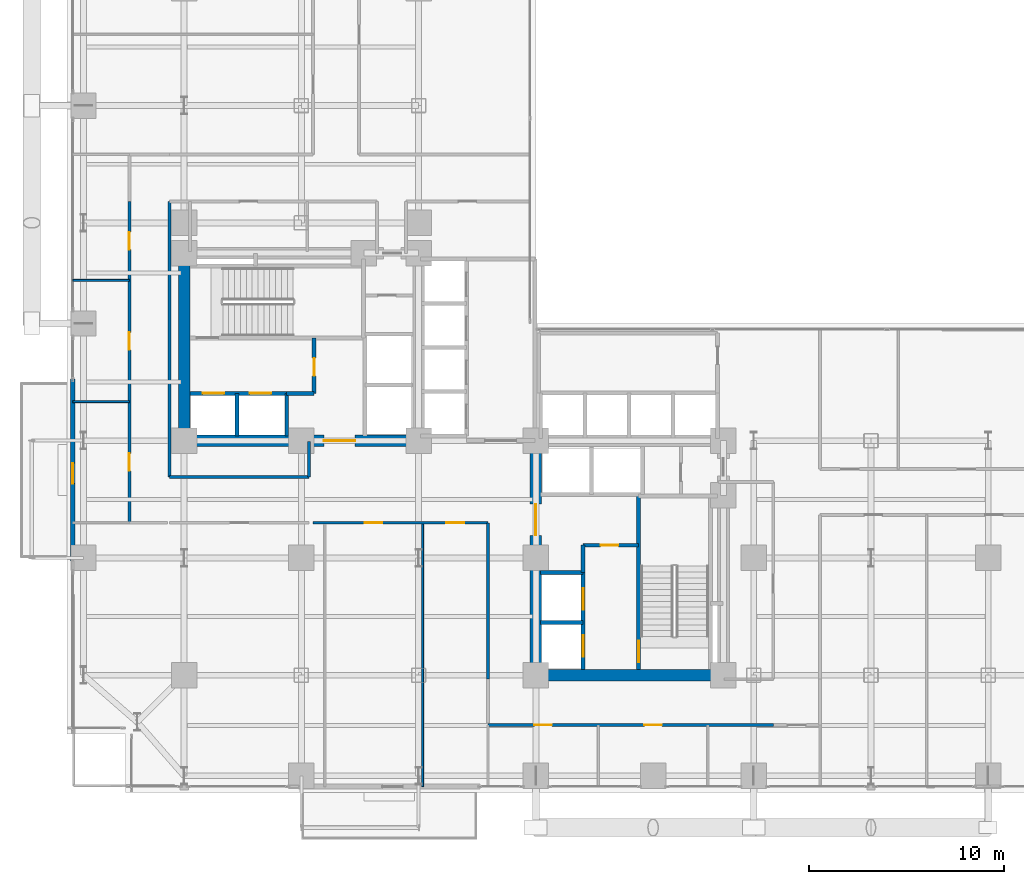
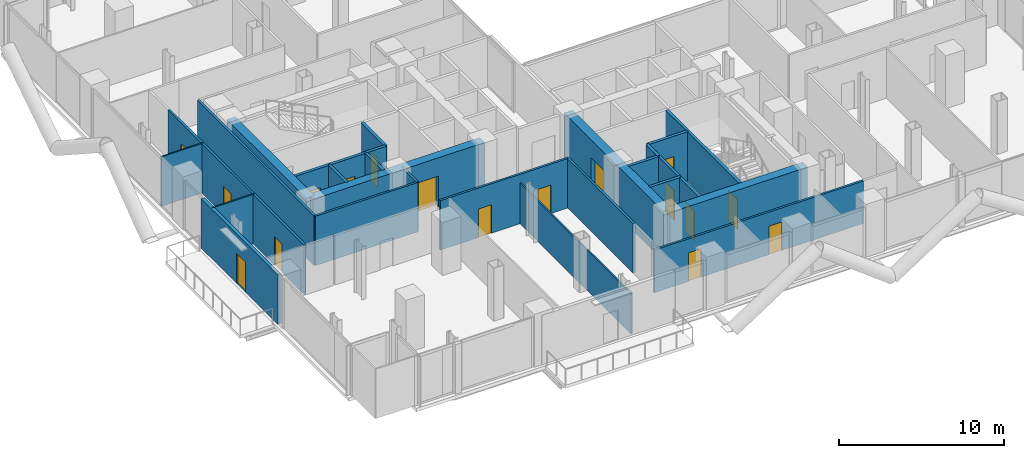
# One storey, part 20 of 25: 26 walls, 17 doors, 17 openings.
"""IFC4 building model written with IfcOpenShell, lengths in metres."""

from ifc_helpers import new_model, si_unit, direction, frame, frame_2d, origin, place, context, subcontext, project, spatial, rectangle, extrude, material, layer, layer_set, type_object, element, fill, save


model = new_model("IFC4")

# Units and contexts
model_context = context("Model", 3, precision=1e-05, world=origin(), true_north=direction((0.0, 1.0)))
body_context = subcontext(model_context, "Body", "Model", "MODEL_VIEW")
ifc_project = project(units=[si_unit("LENGTHUNIT", "METRE"), si_unit("AREAUNIT", "SQUARE_METRE"), si_unit("VOLUMEUNIT", "CUBIC_METRE"), si_unit("PLANEANGLEUNIT", "RADIAN"), si_unit("MASSUNIT", "GRAM", prefix="KILO"), si_unit("THERMODYNAMICTEMPERATUREUNIT", "KELVIN"), si_unit("POWERUNIT", "WATT")], contexts=[model_context])

# Site, building, storey
site_placement = place(None, origin())
site = spatial("IfcSite", under=ifc_project, at=site_placement, CompositionType="ELEMENT")
building_placement = place(site_placement, origin())
building = spatial("IfcBuilding", under=site, at=building_placement, Name="Svarakhadi Broadcast Tower", CompositionType="ELEMENT")
storey_placement = place(building_placement, frame((0.0, 0.0, 36.300048828125)))
storey = spatial("IfcBuildingStorey", under=building, at=storey_placement, Name="L07", CompositionType="ELEMENT", Elevation=36.300048828125)

# Wall, opening, door
ifc_material_1 = material(Name="Concrete C40/50 (IS 456 M50)", Category="concrete")
ifc_layer_1 = layer(ifc_material_1, 0.239990234375)
ifc_layer_set_1 = layer_set([ifc_layer_1], Name="Concrete C40/50 (IS 456 M50)")
wall_type_1 = type_object("IfcWallType", Name="Wall_Ext_240", PredefinedType="SOLIDWALL", material=ifc_layer_set_1)
wall_1_placement = place(storey_placement, frame((0.300048828125, 11.85498046875, 0.0), z_axis=(0.0, 0.0, 1.0), x_axis=(0.0, 1.0, 0.0)))
wall_1 = element("IfcWall", 1, at=wall_1_placement, inside=storey, type_object=wall_type_1, Name="L07 West Tree Balcony Spandrel Wall", PredefinedType="SOLIDWALL", context=body_context, shape_type="SweptSolid", body=[
    extrude(rectangle(XDim=9.2900390625, YDim=0.239990234375, at=frame_2d((4.64501953125, 0.0))), origin(), (0.0, 0.0, 1.0), 3.64990234375),
])
opening_1_placement = place(wall_1_placement, frame((3.945068359375, 0.0, 0.0)))
opening_1 = element("IfcOpeningElement", 2, at=opening_1_placement, cuts=wall_1, Name="Opening ED-06", PredefinedType="OPENING", context=body_context, shape_type="SweptSolid", body=[
    extrude(rectangle(XDim=1.050048828125, YDim=2.199951171875, at=frame_2d((0.52490234375, 1.10009765625))), frame((0.0, 0.1298828125, 0.0), z_axis=(0.0, -1.0, 0.0), x_axis=(1.0, 0.0, 0.0)), (0.0, 0.0, 1.0), 0.260009765625),
])
ifc_material_2 = material(Name="Anodised Bronze Aluminium AA 6063-T6", Category="aluminium")
door_type_1 = type_object("IfcDoorType", Name="Door_Ext_ED06", OperationType="SINGLE_SWING_RIGHT", PredefinedType="DOOR", material=ifc_material_2)
door_1_placement = place(opening_1_placement, origin())
door_1 = element("IfcDoor", 3, at=door_1_placement, inside=storey, type_object=door_type_1, Name="L07 West Tree Balcony Door", OperationType="SINGLE_SWING_RIGHT", OverallHeight=2.199951171875, OverallWidth=1.050048828125, PredefinedType="DOOR", context=body_context, shape_type="SweptSolid", body=[
    extrude(rectangle(XDim=1.050048828125, YDim=2.199951171875, at=frame_2d((0.52490234375, 1.10009765625))), frame((0.0, 0.02490234375, 0.0), z_axis=(0.0, -1.0, 0.0), x_axis=(1.0, 0.0, 0.0)), (0.0, 0.0, 1.0), 0.050048828125),
])
fill(opening_1, door_1)

# Walls
ifc_material_3 = material(Name="Fire-Rated Moisture-Resistant Gypsum Board Partition", Category="gypsum")
ifc_layer_2 = layer(ifc_material_3, 0.10009765625)
ifc_layer_set_2 = layer_set([ifc_layer_2], Name="Fire-Rated Moisture-Resistant Gypsum Board Partition")
wall_type_2 = type_object("IfcWallType", Name="Wall_Part_100", PredefinedType="PARTITIONING", material=ifc_layer_set_2)
wall_2_placement = place(storey_placement, frame((18.199951171875, 0.300048828125, 0.0), z_axis=(0.0, 0.0, 1.0), x_axis=(0.0, 1.0, 0.0)))
element("IfcWall", 4, at=wall_2_placement, inside=storey, type_object=wall_type_2, Name="L07 Editorial Morning Conference Room Wall", PredefinedType="PARTITIONING", context=body_context, shape_type="SweptSolid", body=[
    extrude(rectangle(XDim=13.5, YDim=0.10009765625, at=frame_2d((6.75, 0.0))), origin(), (0.0, 0.0, 1.0), 2.991943359375),
])
for number, where, z_axis, x_axis, name in (
    (5, (0.300048828125, 20.0, 0.0), (0.0, 0.0, 1.0), (1.0, 0.0, 0.0), "L07 Arabian Sea Commentary Booth Wall"),
    (6, (0.300048828125, 26.199951171875, 0.0), (0.0, 0.0, 1.0), (1.0, 0.0, 0.0), "L07 Live Translation Studio Wall"),
):
    element("IfcWall", number, at=place(storey_placement, frame(where, z_axis=z_axis, x_axis=x_axis)), inside=storey, type_object=wall_type_2, Name=name, PredefinedType="PARTITIONING", context=body_context, shape_type="SweptSolid", body=[
        extrude(rectangle(XDim=2.89990234375, YDim=0.10009765625, at=frame_2d((1.449951171875, 0.0))), origin(), (0.0, 0.0, 1.0), 3.64990234375),
    ])

# Wall, openings, doors
ifc_material_4 = material(Name="Autoclaved Aerated Concrete Blockwork 150 mm", Category="masonry")
ifc_layer_3 = layer(ifc_material_4, 0.14990234375)
ifc_layer_set_3 = layer_set([ifc_layer_3], Name="Autoclaved Aerated Concrete Blockwork 150 mm")
wall_type_3 = type_object("IfcWallType", Name="Wall_Part_150", PredefinedType="PARTITIONING", material=ifc_layer_set_3)
wall_3_placement = place(storey_placement, frame((36.14990234375, 3.449951171875, 0.0), z_axis=(0.0, 0.0, 1.0), x_axis=(-1.0, 0.0, 0.0)))
wall_3 = element("IfcWall", 7, at=wall_3_placement, inside=storey, type_object=wall_type_3, Name="L07 Broadcast Corridor Wall", PredefinedType="PARTITIONING", context=body_context, shape_type="SweptSolid", body=[
    extrude(rectangle(XDim=14.599853515625, YDim=0.14990234375, at=frame_2d((7.2998046875, 0.0))), origin(), (0.0, 0.0, 1.0), 3.141845703125),
])
opening_2_placement = place(wall_3_placement, frame((11.324951171875, 0.0, 0.0)))
opening_2 = element("IfcOpeningElement", 8, at=opening_2_placement, cuts=wall_3, Name="Opening D-15", PredefinedType="OPENING", context=body_context, shape_type="SweptSolid", body=[
    extrude(rectangle(XDim=0.89990234375, YDim=2.10009765625, at=frame_2d((0.449951171875, 1.050048828125))), frame((0.0, 0.0849609375, 0.0), z_axis=(0.0, -1.0, 0.0), x_axis=(1.0, 0.0, 0.0)), (0.0, 0.0, 1.0), 0.169921875),
])
opening_3_placement = place(wall_3_placement, frame((5.699951171875, 0.0, 0.0)))
opening_3 = element("IfcOpeningElement", 9, at=opening_3_placement, cuts=wall_3, Name="Opening D-14", PredefinedType="OPENING", context=body_context, shape_type="SweptSolid", body=[
    extrude(rectangle(XDim=0.89990234375, YDim=2.10009765625, at=frame_2d((0.449951171875, 1.050048828125))), frame((0.0, 0.0849609375, 0.0), z_axis=(0.0, -1.0, 0.0), x_axis=(1.0, 0.0, 0.0)), (0.0, 0.0, 1.0), 0.169921875),
])
ifc_material_5 = material(Name="Solid-Core Teak Veneer Acoustic Timber Leaf", Category="wood")
door_type_2 = type_object("IfcDoorType", Name="Door_Int_D14", OperationType="SINGLE_SWING_LEFT", PredefinedType="DOOR", material=ifc_material_5)
door_2_placement = place(opening_3_placement, origin())
door_2 = element("IfcDoor", 10, at=door_2_placement, inside=storey, type_object=door_type_2, Name="L07 Media Legal Review Office Door", OperationType="SINGLE_SWING_LEFT", OverallHeight=2.10009765625, OverallWidth=0.89990234375, PredefinedType="DOOR", context=body_context, shape_type="SweptSolid", body=[
    extrude(rectangle(XDim=0.89990234375, YDim=2.10009765625, at=frame_2d((0.449951171875, 1.050048828125))), frame((0.0, 0.02490234375, 0.0), z_axis=(0.0, -1.0, 0.0), x_axis=(1.0, 0.0, 0.0)), (0.0, 0.0, 1.0), 0.050048828125),
])
fill(opening_3, door_2)
door_type_3 = type_object("IfcDoorType", Name="Door_Int_D15", OperationType="SINGLE_SWING_RIGHT", PredefinedType="DOOR", material=ifc_material_5)
door_3_placement = place(opening_2_placement, origin())
door_3 = element("IfcDoor", 11, at=door_3_placement, inside=storey, type_object=door_type_3, Name="L07 South Harbour Editorial Desk Door", OperationType="SINGLE_SWING_RIGHT", OverallHeight=2.10009765625, OverallWidth=0.89990234375, PredefinedType="DOOR", context=body_context, shape_type="SweptSolid", body=[
    extrude(rectangle(XDim=0.89990234375, YDim=2.10009765625, at=frame_2d((0.449951171875, 1.050048828125))), frame((0.0, 0.02490234375, 0.0), z_axis=(0.0, -1.0, 0.0), x_axis=(1.0, 0.0, 0.0)), (0.0, 0.0, 1.0), 0.050048828125),
])
fill(opening_2, door_3)

# Wall
wall_4_placement = place(storey_placement, frame((21.550048828125, 5.800048828125, 0.0), z_axis=(0.0, 0.0, 1.0), x_axis=(0.0, 1.0, 0.0)))
element("IfcWall", 12, at=wall_4_placement, inside=storey, type_object=wall_type_3, Name="L07 Broadcast Corridor Wall", PredefinedType="PARTITIONING", context=body_context, shape_type="SweptSolid", body=[
    extrude(rectangle(XDim=8.0, YDim=0.14990234375, at=frame_2d((4.0, 0.0))), origin(), (0.0, 0.0, 1.0), 3.64990234375),
])

# Wall, openings, doors
wall_5_placement = place(storey_placement, frame((21.550048828125, 13.800048828125, 0.0), z_axis=(0.0, 0.0, 1.0), x_axis=(-1.0, 0.0, 0.0)))
wall_5 = element("IfcWall", 13, at=wall_5_placement, inside=storey, type_object=wall_type_3, Name="L07 Broadcast Corridor Wall", PredefinedType="PARTITIONING", context=body_context, shape_type="SweptSolid", body=[
    extrude(rectangle(XDim=8.949951171875, YDim=0.14990234375, at=frame_2d((4.47509765625, 0.0))), origin(), (0.0, 0.0, 1.0), 3.64990234375),
])
opening_4_placement = place(wall_5_placement, frame((5.39990234375, 0.0, 0.0)))
opening_4 = element("IfcOpeningElement", 14, at=opening_4_placement, cuts=wall_5, Name="Opening D-15", PredefinedType="OPENING", context=body_context, shape_type="SweptSolid", body=[
    extrude(rectangle(XDim=0.89990234375, YDim=2.10009765625, at=frame_2d((0.449951171875, 1.050048828125))), frame((0.0, 0.0849609375, 0.0), z_axis=(0.0, -1.0, 0.0), x_axis=(1.0, 0.0, 0.0)), (0.0, 0.0, 1.0), 0.169921875),
])
opening_5_placement = place(wall_5_placement, frame((1.22509765625, 0.0, 0.0)))
opening_5 = element("IfcOpeningElement", 15, at=opening_5_placement, cuts=wall_5, Name="Opening D-14", PredefinedType="OPENING", context=body_context, shape_type="SweptSolid", body=[
    extrude(rectangle(XDim=0.89990234375, YDim=2.10009765625, at=frame_2d((0.449951171875, 1.050048828125))), frame((0.0, 0.0849609375, 0.0), z_axis=(0.0, -1.0, 0.0), x_axis=(1.0, 0.0, 0.0)), (0.0, 0.0, 1.0), 0.169921875),
])
door_4_placement = place(opening_5_placement, origin())
door_4 = element("IfcDoor", 16, at=door_4_placement, inside=storey, type_object=door_type_2, Name="L07 Newsroom Tea Pantry Door", OperationType="SINGLE_SWING_LEFT", OverallHeight=2.10009765625, OverallWidth=0.89990234375, PredefinedType="DOOR", context=body_context, shape_type="SweptSolid", body=[
    extrude(rectangle(XDim=0.89990234375, YDim=2.10009765625, at=frame_2d((0.449951171875, 1.050048828125))), frame((0.0, 0.02490234375, 0.0), z_axis=(0.0, -1.0, 0.0), x_axis=(1.0, 0.0, 0.0)), (0.0, 0.0, 1.0), 0.050048828125),
])
fill(opening_5, door_4)
door_5_placement = place(opening_4_placement, origin())
door_5 = element("IfcDoor", 17, at=door_5_placement, inside=storey, type_object=door_type_3, Name="L07 Editorial Morning Conference Room Door", OperationType="SINGLE_SWING_RIGHT", OverallHeight=2.10009765625, OverallWidth=0.89990234375, PredefinedType="DOOR", context=body_context, shape_type="SweptSolid", body=[
    extrude(rectangle(XDim=0.89990234375, YDim=2.10009765625, at=frame_2d((0.449951171875, 1.050048828125))), frame((0.0, 0.02490234375, 0.0), z_axis=(0.0, -1.0, 0.0), x_axis=(1.0, 0.0, 0.0)), (0.0, 0.0, 1.0), 0.050048828125),
])
fill(opening_4, door_5)

wall_6_placement = place(storey_placement, frame((3.199951171875, 13.800048828125, 0.0), z_axis=(0.0, 0.0, 1.0), x_axis=(0.0, 1.0, 0.0)))
wall_6 = element("IfcWall", 18, at=wall_6_placement, inside=storey, type_object=wall_type_3, Name="L07 Broadcast Corridor Wall", PredefinedType="PARTITIONING", context=body_context, shape_type="SweptSolid", body=[
    extrude(rectangle(XDim=16.449951171875, YDim=0.14990234375, at=frame_2d((8.22509765625, 0.0))), origin(), (0.0, 0.0, 1.0), 3.64990234375),
])
opening_6_placement = place(wall_6_placement, frame((2.64990234375, 0.0, 0.0)))
opening_6 = element("IfcOpeningElement", 19, at=opening_6_placement, cuts=wall_6, Name="Opening D-14", PredefinedType="OPENING", context=body_context, shape_type="SweptSolid", body=[
    extrude(rectangle(XDim=0.89990234375, YDim=2.10009765625, at=frame_2d((0.449951171875, 1.050048828125))), frame((0.0, 0.0849609375, 0.0), z_axis=(0.0, -1.0, 0.0), x_axis=(1.0, 0.0, 0.0)), (0.0, 0.0, 1.0), 0.169921875),
])
opening_7_placement = place(wall_6_placement, frame((8.85009765625, 0.0, 0.0)))
opening_7 = element("IfcOpeningElement", 20, at=opening_7_placement, cuts=wall_6, Name="Opening D-15", PredefinedType="OPENING", context=body_context, shape_type="SweptSolid", body=[
    extrude(rectangle(XDim=0.89990234375, YDim=2.10009765625, at=frame_2d((0.449951171875, 1.050048828125))), frame((0.0, 0.0849609375, 0.0), z_axis=(0.0, -1.0, 0.0), x_axis=(1.0, 0.0, 0.0)), (0.0, 0.0, 1.0), 0.169921875),
])
opening_8_placement = place(wall_6_placement, frame((13.97509765625, 0.0, 0.0)))
opening_8 = element("IfcOpeningElement", 21, at=opening_8_placement, cuts=wall_6, Name="Opening D-14", PredefinedType="OPENING", context=body_context, shape_type="SweptSolid", body=[
    extrude(rectangle(XDim=0.89990234375, YDim=2.10009765625, at=frame_2d((0.449951171875, 1.050048828125))), frame((0.0, 0.0849609375, 0.0), z_axis=(0.0, -1.0, 0.0), x_axis=(1.0, 0.0, 0.0)), (0.0, 0.0, 1.0), 0.169921875),
])
door_6_placement = place(opening_6_placement, origin())
door_6 = element("IfcDoor", 22, at=door_6_placement, inside=storey, type_object=door_type_2, Name="L07 Arabian Sea Commentary Booth Door", OperationType="SINGLE_SWING_LEFT", OverallHeight=2.10009765625, OverallWidth=0.89990234375, PredefinedType="DOOR", context=body_context, shape_type="SweptSolid", body=[
    extrude(rectangle(XDim=0.89990234375, YDim=2.10009765625, at=frame_2d((0.449951171875, 1.050048828125))), frame((0.0, 0.02490234375, 0.0), z_axis=(0.0, -1.0, 0.0), x_axis=(1.0, 0.0, 0.0)), (0.0, 0.0, 1.0), 0.050048828125),
])
fill(opening_6, door_6)
door_7_placement = place(opening_8_placement, origin())
door_7 = element("IfcDoor", 23, at=door_7_placement, inside=storey, type_object=door_type_2, Name="L07 Producer Quiet Lounge Door", OperationType="SINGLE_SWING_LEFT", OverallHeight=2.10009765625, OverallWidth=0.89990234375, PredefinedType="DOOR", context=body_context, shape_type="SweptSolid", body=[
    extrude(rectangle(XDim=0.89990234375, YDim=2.10009765625, at=frame_2d((0.449951171875, 1.050048828125))), frame((0.0, 0.02490234375, 0.0), z_axis=(0.0, -1.0, 0.0), x_axis=(1.0, 0.0, 0.0)), (0.0, 0.0, 1.0), 0.050048828125),
])
fill(opening_8, door_7)
door_8_placement = place(opening_7_placement, origin())
door_8 = element("IfcDoor", 24, at=door_8_placement, inside=storey, type_object=door_type_3, Name="L07 Live Translation Studio Door", OperationType="SINGLE_SWING_RIGHT", OverallHeight=2.10009765625, OverallWidth=0.89990234375, PredefinedType="DOOR", context=body_context, shape_type="SweptSolid", body=[
    extrude(rectangle(XDim=0.89990234375, YDim=2.10009765625, at=frame_2d((0.449951171875, 1.050048828125))), frame((0.0, 0.02490234375, 0.0), z_axis=(0.0, -1.0, 0.0), x_axis=(1.0, 0.0, 0.0)), (0.0, 0.0, 1.0), 0.050048828125),
])
fill(opening_7, door_8)

# Walls
wall_7_placement = place(storey_placement, frame((5.25, 30.25, 0.0), z_axis=(0.0, 0.0, 1.0), x_axis=(0.0, -1.0, 0.0)))
element("IfcWall", 25, at=wall_7_placement, inside=storey, type_object=wall_type_3, Name="L07 Broadcast Corridor Wall", PredefinedType="PARTITIONING", context=body_context, shape_type="SweptSolid", body=[
    extrude(rectangle(XDim=14.10009765625, YDim=0.14990234375, at=frame_2d((7.050048828125, 0.0))), origin(), (0.0, 0.0, 1.0), 3.64990234375),
])
wall_8_placement = place(storey_placement, frame((5.25, 16.14990234375, 0.0), z_axis=(0.0, 0.0, 1.0), x_axis=(1.0, 0.0, 0.0)))
element("IfcWall", 26, at=wall_8_placement, inside=storey, type_object=wall_type_3, Name="L07 Broadcast Corridor Wall", PredefinedType="PARTITIONING", context=body_context, shape_type="SweptSolid", body=[
    extrude(rectangle(XDim=7.14990234375, YDim=0.14990234375, at=frame_2d((3.574951171875, 0.0))), origin(), (0.0, 0.0, 1.0), 3.64990234375),
])
wall_9_placement = place(storey_placement, frame((12.39990234375, 16.14990234375, 0.0), z_axis=(0.0, 0.0, 1.0), x_axis=(0.0, 1.0, 0.0)))
element("IfcWall", 27, at=wall_9_placement, inside=storey, type_object=wall_type_3, Name="L07 Broadcast Corridor Wall", PredefinedType="PARTITIONING", context=body_context, shape_type="SweptSolid", body=[
    extrude(rectangle(XDim=1.800048828125, YDim=0.14990234375, at=frame_2d((0.89990234375, 0.0))), origin(), (0.0, 0.0, 1.0), 3.64990234375),
])

# Wall, opening, door
ifc_material_6 = material(Name="Concrete C50/60 (IS 456 M60)", Category="concrete")
ifc_layer_4 = layer(ifc_material_6, 0.199951171875)
ifc_layer_set_4 = layer_set([ifc_layer_4], Name="Concrete C50/60 (IS 456 M60)")
wall_type_4 = type_object("IfcWallType", Name="Wall_Shear_200", PredefinedType="SHEAR", material=ifc_layer_set_4)
wall_10_placement = place(storey_placement, frame((29.260009765625, 6.300048828125, 0.0), z_axis=(0.0, 0.0, 1.0), x_axis=(0.0, 1.0, 0.0)))
wall_10 = element("IfcWall", 28, at=wall_10_placement, inside=storey, type_object=wall_type_4, Name="L07 Stair ST-02 West RC Shaft Wall", PredefinedType="SHEAR", context=body_context, shape_type="SweptSolid", body=[
    extrude(rectangle(XDim=8.8798828125, YDim=0.199951171875, at=frame_2d((4.43994140625, 0.0))), origin(), (0.0, 0.0, 1.0), 3.64990234375),
])
opening_9_placement = place(wall_10_placement, frame((0.35009765625, 0.0, 0.0)))
opening_9 = element("IfcOpeningElement", 29, at=opening_9_placement, cuts=wall_10, Name="Opening D-02", PredefinedType="OPENING", context=body_context, shape_type="SweptSolid", body=[
    extrude(rectangle(XDim=1.10009765625, YDim=2.199951171875, at=frame_2d((0.550048828125, 1.10009765625))), frame((0.0, 0.10986328125, 0.0), z_axis=(0.0, -1.0, 0.0), x_axis=(1.0, 0.0, 0.0)), (0.0, 0.0, 1.0), 0.219970703125),
])
ifc_material_7 = material(Name="Galvanised Powder-Coated Fire-Rated Steel Leaf", Category="steel")
door_type_4 = type_object("IfcDoorType", Name="Door_Stair_D02", OperationType="SINGLE_SWING_RIGHT", PredefinedType="DOOR", material=ifc_material_7)
door_9_placement = place(opening_9_placement, origin())
door_9 = element("IfcDoor", 30, at=door_9_placement, inside=storey, type_object=door_type_4, Name="L07 Protected Exit Stair ST-02 Fire Door", OperationType="SINGLE_SWING_RIGHT", OverallHeight=2.199951171875, OverallWidth=1.10009765625, PredefinedType="DOOR", context=body_context, shape_type="SweptSolid", body=[
    extrude(rectangle(XDim=1.10009765625, YDim=2.199951171875, at=frame_2d((0.550048828125, 1.10009765625))), frame((0.0, 0.02490234375, 0.0), z_axis=(0.0, -1.0, 0.0), x_axis=(1.0, 0.0, 0.0)), (0.0, 0.0, 1.0), 0.050048828125),
])
fill(opening_9, door_9)

# Wall, openings, doors
wall_11_placement = place(storey_placement, frame((6.300048828125, 20.419921875, 0.0), z_axis=(0.0, 0.0, 1.0), x_axis=(1.0, 0.0, 0.0)))
wall_11 = element("IfcWall", 31, at=wall_11_placement, inside=storey, type_object=wall_type_4, Name="L07 Firefighting Lift LF-01/02 Shaft Wall", PredefinedType="SHEAR", context=body_context, shape_type="SweptSolid", body=[
    extrude(rectangle(XDim=4.949951171875, YDim=0.199951171875, at=frame_2d((2.47509765625, 0.0))), origin(), (0.0, 0.0, 1.0), 3.64990234375),
])
opening_10_placement = place(wall_11_placement, frame((0.64990234375, 0.0, 0.0)))
opening_10 = element("IfcOpeningElement", 32, at=opening_10_placement, cuts=wall_11, Name="Opening LD-01", PredefinedType="OPENING", context=body_context, shape_type="SweptSolid", body=[
    extrude(rectangle(XDim=1.10009765625, YDim=2.199951171875, at=frame_2d((0.550048828125, 1.10009765625))), frame((0.0, 0.10986328125, 0.0), z_axis=(0.0, -1.0, 0.0), x_axis=(1.0, 0.0, 0.0)), (0.0, 0.0, 1.0), 0.219970703125),
])
opening_11_placement = place(wall_11_placement, frame((3.050048828125, 0.0, 0.0)))
opening_11 = element("IfcOpeningElement", 33, at=opening_11_placement, cuts=wall_11, Name="Opening LD-01", PredefinedType="OPENING", context=body_context, shape_type="SweptSolid", body=[
    extrude(rectangle(XDim=1.10009765625, YDim=2.199951171875, at=frame_2d((0.550048828125, 1.10009765625))), frame((0.0, 0.10986328125, 0.0), z_axis=(0.0, -1.0, 0.0), x_axis=(1.0, 0.0, 0.0)), (0.0, 0.0, 1.0), 0.219970703125),
])
door_type_5 = type_object("IfcDoorType", Name="Door_Lift_LD01", OperationType="SLIDING_TO_LEFT", PredefinedType="DOOR", material=ifc_material_7)
door_10_placement = place(opening_10_placement, origin())
door_10 = element("IfcDoor", 34, at=door_10_placement, inside=storey, type_object=door_type_5, Name="L07 Firefighting Lift LF-01 Landing Door", OperationType="SLIDING_TO_LEFT", OverallHeight=2.199951171875, OverallWidth=1.10009765625, PredefinedType="DOOR", context=body_context, shape_type="SweptSolid", body=[
    extrude(rectangle(XDim=1.10009765625, YDim=2.199951171875, at=frame_2d((0.550048828125, 1.10009765625))), frame((0.0, 0.02490234375, 0.0), z_axis=(0.0, -1.0, 0.0), x_axis=(1.0, 0.0, 0.0)), (0.0, 0.0, 1.0), 0.050048828125),
])
fill(opening_10, door_10)
door_11_placement = place(opening_11_placement, origin())
door_11 = element("IfcDoor", 35, at=door_11_placement, inside=storey, type_object=door_type_5, Name="L07 Firefighting Lift LF-02 Landing Door", OperationType="SLIDING_TO_LEFT", OverallHeight=2.199951171875, OverallWidth=1.10009765625, PredefinedType="DOOR", context=body_context, shape_type="SweptSolid", body=[
    extrude(rectangle(XDim=1.10009765625, YDim=2.199951171875, at=frame_2d((0.550048828125, 1.10009765625))), frame((0.0, 0.02490234375, 0.0), z_axis=(0.0, -1.0, 0.0), x_axis=(1.0, 0.0, 0.0)), (0.0, 0.0, 1.0), 0.050048828125),
])
fill(opening_11, door_11)

# Walls
for number, where, z_axis, x_axis, name in (
    (36, (8.699951171875, 18.25, 0.0), (0.0, 0.0, 1.0), (0.0, 1.0, 0.0), "L07 Firefighting Lift LF-01/02 Divider Wall"),
    (37, (11.25, 18.25, 0.0), (0.0, 0.0, 1.0), (0.0, 1.0, 0.0), "L07 Firefighting Lift LF-02 East Wall"),
):
    element("IfcWall", number, at=place(storey_placement, frame(where, z_axis=z_axis, x_axis=x_axis)), inside=storey, type_object=wall_type_4, Name=name, PredefinedType="SHEAR", context=body_context, shape_type="SweptSolid", body=[
        extrude(rectangle(XDim=2.169921875, YDim=0.199951171875, at=frame_2d((1.0849609375, 0.0))), origin(), (0.0, 0.0, 1.0), 3.64990234375),
    ])
wall_12_placement = place(storey_placement, frame((11.25, 20.419921875, 0.0), z_axis=(0.0, 0.0, 1.0), x_axis=(1.0, 0.0, 0.0)))
element("IfcWall", 38, at=wall_12_placement, inside=storey, type_object=wall_type_4, Name="L07 West Firefighting Lobby South Wall", PredefinedType="SHEAR", context=body_context, shape_type="SweptSolid", body=[
    extrude(rectangle(XDim=1.39990234375, YDim=0.199951171875, at=frame_2d((0.699951171875, 0.0))), origin(), (0.0, 0.0, 1.0), 3.64990234375),
])

# Wall, opening, door
wall_13_placement = place(storey_placement, frame((12.64990234375, 20.419921875, 0.0), z_axis=(0.0, 0.0, 1.0), x_axis=(0.0, 1.0, 0.0)))
wall_13 = element("IfcWall", 39, at=wall_13_placement, inside=storey, type_object=wall_type_4, Name="L07 West Firefighting Lobby East Wall", PredefinedType="SHEAR", context=body_context, shape_type="SweptSolid", body=[
    extrude(rectangle(XDim=2.840087890625, YDim=0.199951171875, at=frame_2d((1.419921875, 0.0))), origin(), (0.0, 0.0, 1.0), 3.64990234375),
])
opening_12_placement = place(wall_13_placement, frame((0.89990234375, 0.0, 0.0)))
opening_12 = element("IfcOpeningElement", 40, at=opening_12_placement, cuts=wall_13, Name="Opening D-04", PredefinedType="OPENING", context=body_context, shape_type="SweptSolid", body=[
    extrude(rectangle(XDim=0.89990234375, YDim=2.14990234375, at=frame_2d((0.449951171875, 1.074951171875))), frame((0.0, 0.10986328125, 0.0), z_axis=(0.0, -1.0, 0.0), x_axis=(1.0, 0.0, 0.0)), (0.0, 0.0, 1.0), 0.219970703125),
])
door_type_6 = type_object("IfcDoorType", Name="Door_Fire_D04", OperationType="SINGLE_SWING_RIGHT", PredefinedType="DOOR", material=ifc_material_7)
door_12_placement = place(opening_12_placement, origin())
door_12 = element("IfcDoor", 41, at=door_12_placement, inside=storey, type_object=door_type_6, Name="L07 West Firefighting Lobby Fire Door", OperationType="SINGLE_SWING_RIGHT", OverallHeight=2.14990234375, OverallWidth=0.89990234375, PredefinedType="DOOR", context=body_context, shape_type="SweptSolid", body=[
    extrude(rectangle(XDim=0.89990234375, YDim=2.14990234375, at=frame_2d((0.449951171875, 1.074951171875))), frame((0.0, 0.02490234375, 0.0), z_axis=(0.0, -1.0, 0.0), x_axis=(1.0, 0.0, 0.0)), (0.0, 0.0, 1.0), 0.050048828125),
])
fill(opening_12, door_12)

# Wall, openings, doors
wall_14_placement = place(storey_placement, frame((26.419921875, 6.300048828125, 0.0), z_axis=(0.0, 0.0, 1.0), x_axis=(0.0, 1.0, 0.0)))
wall_14 = element("IfcWall", 42, at=wall_14_placement, inside=storey, type_object=wall_type_4, Name="L07 Firefighting Lift LF-03/04 Shaft Wall", PredefinedType="SHEAR", context=body_context, shape_type="SweptSolid", body=[
    extrude(rectangle(XDim=4.949951171875, YDim=0.199951171875, at=frame_2d((2.47509765625, 0.0))), origin(), (0.0, 0.0, 1.0), 3.64990234375),
])
opening_13_placement = place(wall_14_placement, frame((0.64990234375, 0.0, 0.0)))
opening_13 = element("IfcOpeningElement", 43, at=opening_13_placement, cuts=wall_14, Name="Opening LD-01", PredefinedType="OPENING", context=body_context, shape_type="SweptSolid", body=[
    extrude(rectangle(XDim=1.10009765625, YDim=2.199951171875, at=frame_2d((0.550048828125, 1.10009765625))), frame((0.0, 0.10986328125, 0.0), z_axis=(0.0, -1.0, 0.0), x_axis=(1.0, 0.0, 0.0)), (0.0, 0.0, 1.0), 0.219970703125),
])
opening_14_placement = place(wall_14_placement, frame((3.050048828125, 0.0, 0.0)))
opening_14 = element("IfcOpeningElement", 44, at=opening_14_placement, cuts=wall_14, Name="Opening LD-01", PredefinedType="OPENING", context=body_context, shape_type="SweptSolid", body=[
    extrude(rectangle(XDim=1.10009765625, YDim=2.199951171875, at=frame_2d((0.550048828125, 1.10009765625))), frame((0.0, 0.10986328125, 0.0), z_axis=(0.0, -1.0, 0.0), x_axis=(1.0, 0.0, 0.0)), (0.0, 0.0, 1.0), 0.219970703125),
])
door_13_placement = place(opening_13_placement, origin())
door_13 = element("IfcDoor", 45, at=door_13_placement, inside=storey, type_object=door_type_5, Name="L07 Firefighting Lift LF-03 Landing Door", OperationType="SLIDING_TO_LEFT", OverallHeight=2.199951171875, OverallWidth=1.10009765625, PredefinedType="DOOR", context=body_context, shape_type="SweptSolid", body=[
    extrude(rectangle(XDim=1.10009765625, YDim=2.199951171875, at=frame_2d((0.550048828125, 1.10009765625))), frame((0.0, 0.02490234375, 0.0), z_axis=(0.0, -1.0, 0.0), x_axis=(1.0, 0.0, 0.0)), (0.0, 0.0, 1.0), 0.050048828125),
])
fill(opening_13, door_13)
door_14_placement = place(opening_14_placement, origin())
door_14 = element("IfcDoor", 46, at=door_14_placement, inside=storey, type_object=door_type_5, Name="L07 Firefighting Lift LF-04 Landing Door", OperationType="SLIDING_TO_LEFT", OverallHeight=2.199951171875, OverallWidth=1.10009765625, PredefinedType="DOOR", context=body_context, shape_type="SweptSolid", body=[
    extrude(rectangle(XDim=1.10009765625, YDim=2.199951171875, at=frame_2d((0.550048828125, 1.10009765625))), frame((0.0, 0.02490234375, 0.0), z_axis=(0.0, -1.0, 0.0), x_axis=(1.0, 0.0, 0.0)), (0.0, 0.0, 1.0), 0.050048828125),
])
fill(opening_14, door_14)

# Walls
for number, where, z_axis, x_axis, name in (
    (47, (24.25, 8.699951171875, 0.0), (0.0, 0.0, 1.0), (1.0, 0.0, 0.0), "L07 Firefighting Lift LF-03/04 Divider Wall"),
    (48, (24.25, 11.25, 0.0), (0.0, 0.0, 1.0), (1.0, 0.0, 0.0), "L07 Firefighting Lift LF-04 North Wall"),
):
    element("IfcWall", number, at=place(storey_placement, frame(where, z_axis=z_axis, x_axis=x_axis)), inside=storey, type_object=wall_type_4, Name=name, PredefinedType="SHEAR", context=body_context, shape_type="SweptSolid", body=[
        extrude(rectangle(XDim=2.169921875, YDim=0.199951171875, at=frame_2d((1.0849609375, 0.0))), origin(), (0.0, 0.0, 1.0), 3.64990234375),
    ])
wall_15_placement = place(storey_placement, frame((26.419921875, 11.25, 0.0), z_axis=(0.0, 0.0, 1.0), x_axis=(0.0, 1.0, 0.0)))
element("IfcWall", 49, at=wall_15_placement, inside=storey, type_object=wall_type_4, Name="L07 East Firefighting Lobby West Wall", PredefinedType="SHEAR", context=body_context, shape_type="SweptSolid", body=[
    extrude(rectangle(XDim=1.39990234375, YDim=0.199951171875, at=frame_2d((0.699951171875, 0.0))), origin(), (0.0, 0.0, 1.0), 3.64990234375),
])

# Wall, opening, door
wall_16_placement = place(storey_placement, frame((26.419921875, 12.64990234375, 0.0), z_axis=(0.0, 0.0, 1.0), x_axis=(1.0, 0.0, 0.0)))
wall_16 = element("IfcWall", 50, at=wall_16_placement, inside=storey, type_object=wall_type_4, Name="L07 East Firefighting Lobby North Wall", PredefinedType="SHEAR", context=body_context, shape_type="SweptSolid", body=[
    extrude(rectangle(XDim=2.840087890625, YDim=0.199951171875, at=frame_2d((1.419921875, 0.0))), origin(), (0.0, 0.0, 1.0), 3.64990234375),
])
opening_15_placement = place(wall_16_placement, frame((0.89990234375, 0.0, 0.0)))
opening_15 = element("IfcOpeningElement", 51, at=opening_15_placement, cuts=wall_16, Name="Opening D-03", PredefinedType="OPENING", context=body_context, shape_type="SweptSolid", body=[
    extrude(rectangle(XDim=0.89990234375, YDim=2.14990234375, at=frame_2d((0.449951171875, 1.074951171875))), frame((0.0, 0.10986328125, 0.0), z_axis=(0.0, -1.0, 0.0), x_axis=(1.0, 0.0, 0.0)), (0.0, 0.0, 1.0), 0.219970703125),
])
door_type_7 = type_object("IfcDoorType", Name="Door_Fire_D03", OperationType="SINGLE_SWING_LEFT", PredefinedType="DOOR", material=ifc_material_7)
door_15_placement = place(opening_15_placement, origin())
door_15 = element("IfcDoor", 52, at=door_15_placement, inside=storey, type_object=door_type_7, Name="L07 East Firefighting Lobby Fire Door", OperationType="SINGLE_SWING_LEFT", OverallHeight=2.14990234375, OverallWidth=0.89990234375, PredefinedType="DOOR", context=body_context, shape_type="SweptSolid", body=[
    extrude(rectangle(XDim=0.89990234375, YDim=2.14990234375, at=frame_2d((0.449951171875, 1.074951171875))), frame((0.0, 0.02490234375, 0.0), z_axis=(0.0, -1.0, 0.0), x_axis=(1.0, 0.0, 0.0)), (0.0, 0.0, 1.0), 0.050048828125),
])
fill(opening_15, door_15)

ifc_material_8 = material(Name="Concrete C60/75 (IS 456 M70)", Category="concrete")
ifc_layer_5 = layer(ifc_material_8, 0.60009765625)
ifc_layer_set_5 = layer_set([ifc_layer_5], Name="Concrete C60/75 (IS 456 M70)")
wall_type_5 = type_object("IfcWallType", Name="Wall_Shear_600", PredefinedType="SHEAR", material=ifc_layer_set_5)
wall_17_placement = place(storey_placement, frame((6.0, 18.0, 0.0), z_axis=(0.0, 0.0, 1.0), x_axis=(1.0, 0.0, 0.0)))
wall_17 = element("IfcWall", 53, at=wall_17_placement, inside=storey, type_object=wall_type_5, Name="L07 West Core South Shear Wall", PredefinedType="SHEAR", context=body_context, shape_type="SweptSolid", body=[
    extrude(rectangle(XDim=12.0, YDim=0.60009765625, at=frame_2d((6.0, 0.0))), origin(), (0.0, 0.0, 1.0), 3.64990234375),
])
opening_16_placement = place(wall_17_placement, frame((7.14990234375, 0.0, 0.0)))
opening_16 = element("IfcOpeningElement", 54, at=opening_16_placement, cuts=wall_17, Name="Opening D-05", PredefinedType="OPENING", context=body_context, shape_type="SweptSolid", body=[
    extrude(rectangle(XDim=1.60009765625, YDim=2.300048828125, at=frame_2d((0.800048828125, 1.14990234375))), frame((0.0, 0.31005859375, 0.0), z_axis=(0.0, -1.0, 0.0), x_axis=(1.0, 0.0, 0.0)), (0.0, 0.0, 1.0), 0.6201171875),
])
door_type_8 = type_object("IfcDoorType", Name="Door_Lobby_D05", OperationType="DOUBLE_DOOR_SLIDING", PredefinedType="DOOR", material=ifc_material_2)
door_16_placement = place(opening_16_placement, origin())
door_16 = element("IfcDoor", 55, at=door_16_placement, inside=storey, type_object=door_type_8, Name="L07 West Core Passenger Lift Lobby Entrance Door", OperationType="DOUBLE_DOOR_SLIDING", OverallHeight=2.300048828125, OverallWidth=1.60009765625, PredefinedType="DOOR", context=body_context, shape_type="SweptSolid", body=[
    extrude(rectangle(XDim=1.60009765625, YDim=2.300048828125, at=frame_2d((0.800048828125, 1.14990234375))), frame((0.0, 0.02490234375, 0.0), z_axis=(0.0, -1.0, 0.0), x_axis=(1.0, 0.0, 0.0)), (0.0, 0.0, 1.0), 0.050048828125),
])
fill(opening_16, door_16)

# Walls
for number, where, z_axis, x_axis, name in (
    (56, (6.0, 18.0, 0.0), (0.0, 0.0, 1.0), (0.0, 1.0, 0.0), "L07 West Core West Shear Wall"),
    (57, (24.0, 6.0, 0.0), (0.0, 0.0, 1.0), (1.0, 0.0, 0.0), "L07 East Core South Shear Wall"),
):
    element("IfcWall", number, at=place(storey_placement, frame(where, z_axis=z_axis, x_axis=x_axis)), inside=storey, type_object=wall_type_5, Name=name, PredefinedType="SHEAR", context=body_context, shape_type="SweptSolid", body=[
        extrude(rectangle(XDim=9.60009765625, YDim=0.60009765625, at=frame_2d((4.800048828125, 0.0))), origin(), (0.0, 0.0, 1.0), 3.64990234375),
    ])

# Wall, opening, door
wall_18_placement = place(storey_placement, frame((24.0, 6.0, 0.0), z_axis=(0.0, 0.0, 1.0), x_axis=(0.0, 1.0, 0.0)))
wall_18 = element("IfcWall", 58, at=wall_18_placement, inside=storey, type_object=wall_type_5, Name="L07 East Core West Shear Wall", PredefinedType="SHEAR", context=body_context, shape_type="SweptSolid", body=[
    extrude(rectangle(XDim=12.0, YDim=0.60009765625, at=frame_2d((6.0, 0.0))), origin(), (0.0, 0.0, 1.0), 3.64990234375),
])
opening_17_placement = place(wall_18_placement, frame((7.14990234375, 0.0, 0.0)))
opening_17 = element("IfcOpeningElement", 59, at=opening_17_placement, cuts=wall_18, Name="Opening D-05", PredefinedType="OPENING", context=body_context, shape_type="SweptSolid", body=[
    extrude(rectangle(XDim=1.60009765625, YDim=2.300048828125, at=frame_2d((0.800048828125, 1.14990234375))), frame((0.0, 0.31005859375, 0.0), z_axis=(0.0, -1.0, 0.0), x_axis=(1.0, 0.0, 0.0)), (0.0, 0.0, 1.0), 0.6201171875),
])
door_17_placement = place(opening_17_placement, origin())
door_17 = element("IfcDoor", 60, at=door_17_placement, inside=storey, type_object=door_type_8, Name="L07 East Core Passenger Lift Lobby Entrance Door", OperationType="DOUBLE_DOOR_SLIDING", OverallHeight=2.300048828125, OverallWidth=1.60009765625, PredefinedType="DOOR", context=body_context, shape_type="SweptSolid", body=[
    extrude(rectangle(XDim=1.60009765625, YDim=2.300048828125, at=frame_2d((0.800048828125, 1.14990234375))), frame((0.0, 0.02490234375, 0.0), z_axis=(0.0, -1.0, 0.0), x_axis=(1.0, 0.0, 0.0)), (0.0, 0.0, 1.0), 0.050048828125),
])
fill(opening_17, door_17)

save(model, "model.ifc")
